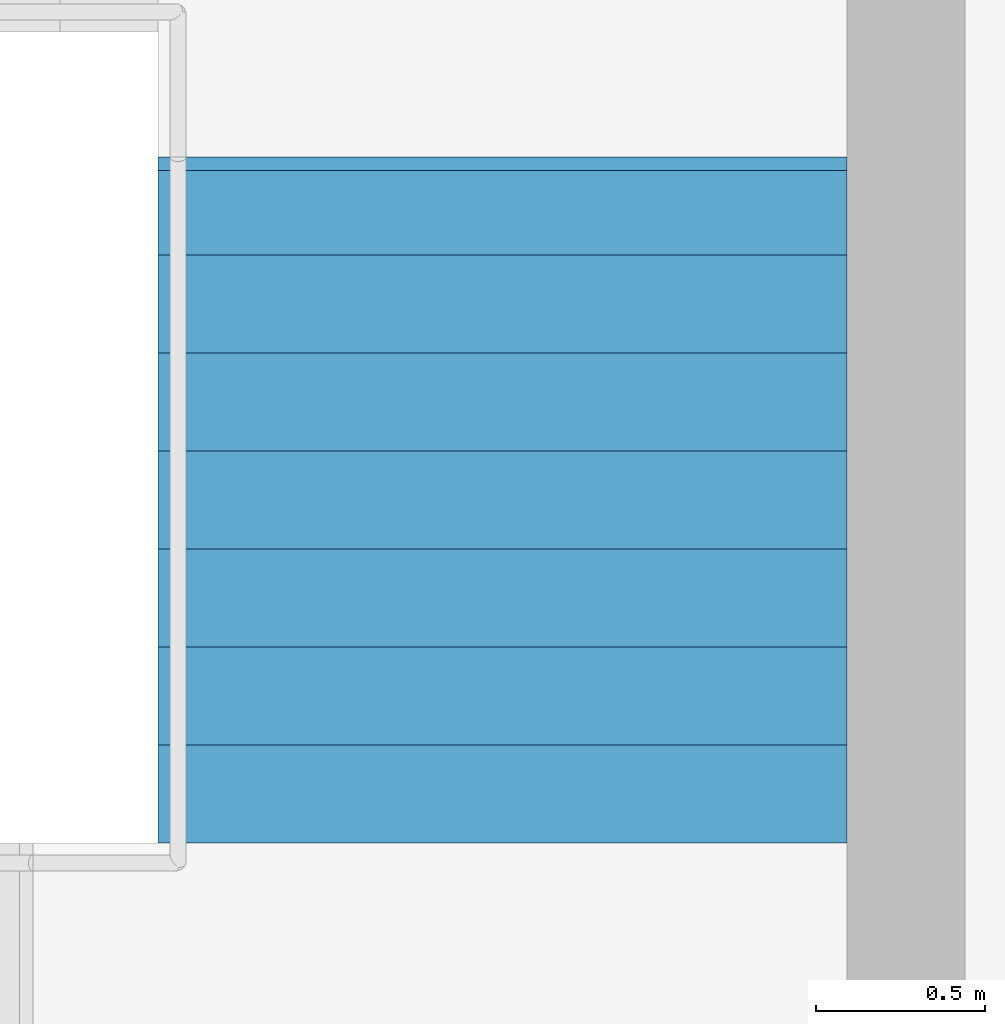
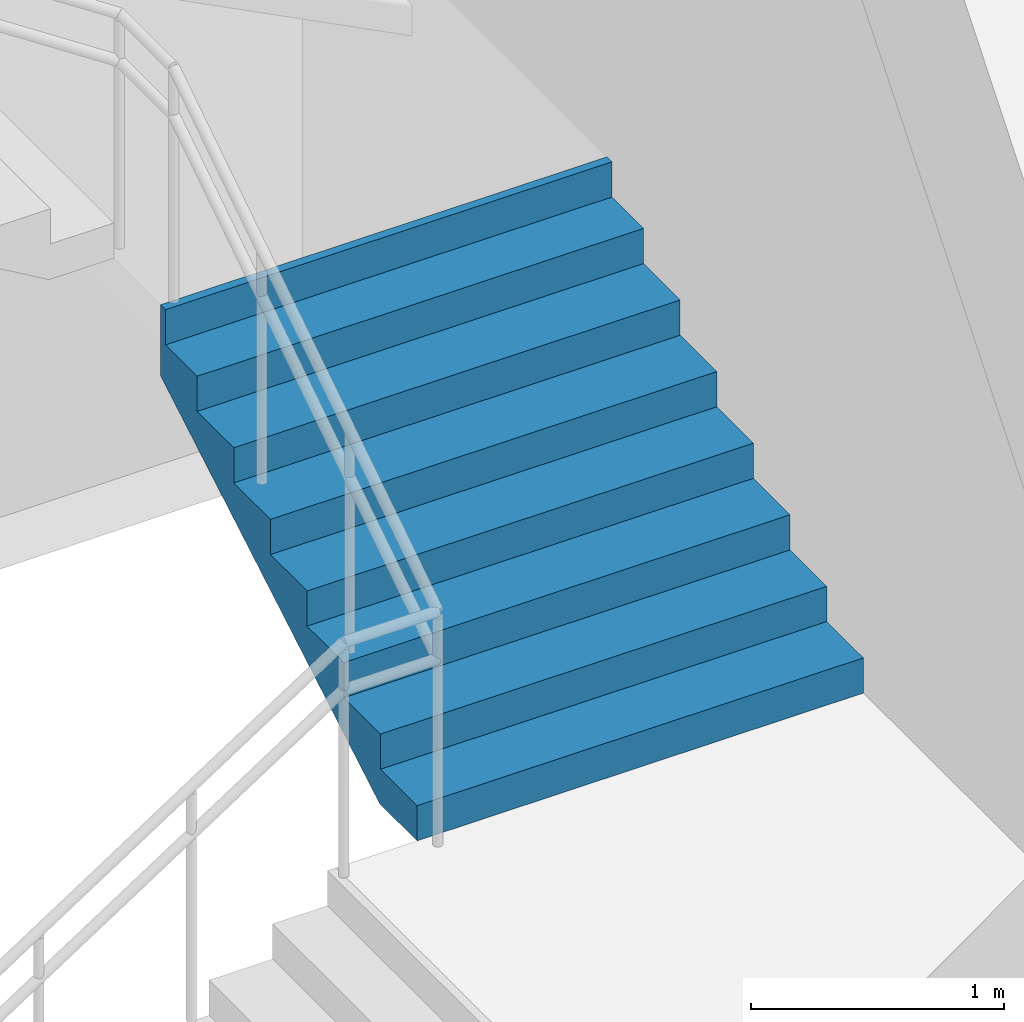
# One storey, part 64 of 66: 1 stair flight, 1 element without a shape of its own.
"""IFC4 building model written with IfcOpenShell, lengths in metres."""

from ifc_helpers import new_model, si_unit, direction, frame, origin, place, context, subcontext, project, spatial, triangles, material, type_object, element, aggregate, save


model = new_model("IFC4")

# Units and contexts
model_context = context("Model", 3, precision=1e-05, world=origin(), true_north=direction((0.0, 1.0)))
body_context = subcontext(model_context, "Body", "Model", "MODEL_VIEW")
ifc_project = project(units=[si_unit("LENGTHUNIT", "METRE"), si_unit("AREAUNIT", "SQUARE_METRE"), si_unit("VOLUMEUNIT", "CUBIC_METRE"), si_unit("PLANEANGLEUNIT", "RADIAN"), si_unit("MASSUNIT", "GRAM", prefix="KILO")], contexts=[model_context])

# Site, building, storey
site_placement = place(None, origin())
site = spatial("IfcSite", under=ifc_project, at=site_placement, CompositionType="ELEMENT")
building_placement = place(site_placement, origin())
building = spatial("IfcBuilding", under=site, at=building_placement, Name="Sillaruma Civic Art Gallery", CompositionType="ELEMENT")
storey_placement = place(building_placement, frame((0.0, 0.0, 57.1201171875)))
storey = spatial("IfcBuildingStorey", under=building, at=storey_placement, Name="L11", CompositionType="ELEMENT", Elevation=57.1201171875)

# Stair, stair flight
ifc_material = material(Name="Concrete H35 (35 MPa)", Category="concrete")
stair_type = type_object("IfcStairType", Name="STR-4F-30", PredefinedType="USERDEFINED", material=ifc_material)
stair_placement = place(storey_placement, origin())
stair = element("IfcStair", 1, at=stair_placement, inside=storey, type_object=stair_type, Name="Protected Exit Stair ST-02 (West Bar North) (L11)", ObjectType="THREE_RETURN_STAIR", PredefinedType="USERDEFINED")
stair_flight_type = type_object("IfcStairFlightType", Name="SFL-STR-8", PredefinedType="STRAIGHT", material=ifc_material)
stair_flight_placement = place(storey_placement, frame((68.219970703125, 82.949951171875, 1.35986328125), z_axis=(0.0, 0.0, 1.0), x_axis=(0.0, 1.0, 0.0)))
stair_flight = element("IfcStairFlight", 2, at=stair_flight_placement, type_object=stair_flight_type, Name="ST-02 flight 2", NumberOfRisers=8, NumberOfTreads=7, PredefinedType="STRAIGHT", RiserHeight=0.17, TreadLength=0.29, context=body_context, shape_type="Tessellation", body=[
    triangles([(0.0, -1.02001953125, 0.0), (0.29, -1.02001953125, 0.0), (0.296443, -1.02001953125, 0.0), (0.58, -1.02001953125, 0.166223), (0.87, -1.02001953125, 0.336223), (1.16, -1.02001953125, 0.506223), (1.45, -1.02001953125, 0.676223), (1.74, -1.02001953125, 0.846223), (1.990029, -1.02001953125, 0.992792), (2.030029, -1.02001953125, 1.01624), (2.030029, -1.02001953125, 1.36), (1.990029, -1.02001953125, 1.36), (1.990029, -1.02001953125, 1.19), (1.74, -1.02001953125, 1.19), (1.74, -1.02001953125, 1.02), (1.45, -1.02001953125, 1.02), (1.45, -1.02001953125, 0.85), (1.16, -1.02001953125, 0.85), (1.16, -1.02001953125, 0.68), (0.87, -1.02001953125, 0.68), (0.87, -1.02001953125, 0.51), (0.58, -1.02001953125, 0.51), (0.58, -1.02001953125, 0.34), (0.296443, -1.02001953125, 0.34), (0.29, -1.02001953125, 0.34), (0.29, -1.02001953125, 0.17), (0.0, -1.02001953125, 0.17), (0.0, -0.05, 0.0), (0.29, -0.05, 0.0), (0.296443, -0.05, 0.0), (0.58, -0.05, 0.166223), (0.87, -0.05, 0.336223), (1.16, -0.05, 0.506223), (1.45, -0.05, 0.676223), (1.74, -0.05, 0.846223), (1.990029, -0.05, 0.992792), (2.030029, -0.05, 1.01624), (2.030029, -0.05, 1.36), (1.990029, -0.05, 1.36), (1.990029, -0.05, 1.19), (1.74, -0.05, 1.19), (1.74, -0.05, 1.02), (1.45, -0.05, 1.02), (1.45, -0.05, 0.85), (1.16, -0.05, 0.85), (1.16, -0.05, 0.68), (0.87, -0.05, 0.68), (0.87, -0.05, 0.51), (0.58, -0.05, 0.51), (0.58, -0.05, 0.34), (0.296443, -0.05, 0.34), (0.29, -0.05, 0.34), (0.29, -0.05, 0.17), (0.0, -0.05, 0.17), (0.0, -0.0375, 0.0), (0.29, -0.0375, 0.0), (0.296443, -0.0375, 0.0), (0.58, -0.0375, 0.166223), (0.87, -0.0375, 0.336223), (1.16, -0.0375, 0.506223), (1.45, -0.0375, 0.676223), (1.74, -0.0375, 0.846223), (1.990029, -0.0375, 0.992792), (2.030029, -0.0375, 1.01624), (2.030029, -0.0375, 1.36), (1.990029, -0.0375, 1.36), (1.990029, -0.0375, 1.19), (1.74, -0.0375, 1.19), (1.74, -0.0375, 1.02), (1.45, -0.0375, 1.02), (1.45, -0.0375, 0.85), (1.16, -0.0375, 0.85), (1.16, -0.0375, 0.68), (0.87, -0.0375, 0.68), (0.87, -0.0375, 0.51), (0.58, -0.0375, 0.51), (0.58, -0.0375, 0.34), (0.296443, -0.0375, 0.34), (0.29, -0.0375, 0.34), (0.29, -0.0375, 0.17), (0.0, -0.0375, 0.17), (0.0, -0.025, 0.0), (0.29, -0.025, 0.0), (0.296443, -0.025, 0.0), (0.58, -0.025, 0.166223), (0.87, -0.025, 0.336223), (1.16, -0.025, 0.506223), (1.45, -0.025, 0.676223), (1.74, -0.025, 0.846223), (1.990029, -0.025, 0.992792), (2.030029, -0.025, 1.01624), (2.030029, -0.025, 1.36), (1.990029, -0.025, 1.36), (1.990029, -0.025, 1.19), (1.74, -0.025, 1.19), (1.74, -0.025, 1.02), (1.45, -0.025, 1.02), (1.45, -0.025, 0.85), (1.16, -0.025, 0.85), (1.16, -0.025, 0.68), (0.87, -0.025, 0.68), (0.87, -0.025, 0.51), (0.58, -0.025, 0.51), (0.58, -0.025, 0.34), (0.296443, -0.025, 0.34), (0.29, -0.025, 0.34), (0.29, -0.025, 0.17), (0.0, -0.025, 0.17), (0.0, -0.0125, 0.0), (0.29, -0.0125, 0.0), (0.296443, -0.0125, 0.0), (0.58, -0.0125, 0.166223), (0.87, -0.0125, 0.336223), (1.16, -0.0125, 0.506223), (1.45, -0.0125, 0.676223), (1.74, -0.0125, 0.846223), (1.990029, -0.0125, 0.992792), (2.030029, -0.0125, 1.01624), (2.030029, -0.0125, 1.36), (1.990029, -0.0125, 1.36), (1.990029, -0.0125, 1.19), (1.74, -0.0125, 1.19), (1.74, -0.0125, 1.02), (1.45, -0.0125, 1.02), (1.45, -0.0125, 0.85), (1.16, -0.0125, 0.85), (1.16, -0.0125, 0.68), (0.87, -0.0125, 0.68), (0.87, -0.0125, 0.51), (0.58, -0.0125, 0.51), (0.58, -0.0125, 0.34), (0.296443, -0.0125, 0.34), (0.29, -0.0125, 0.34), (0.29, -0.0125, 0.17), (0.0, -0.0125, 0.17), (0.0, 0.0, 0.0), (0.29, 0.0, 0.0), (0.296443, 0.0, 0.0), (0.58, 0.0, 0.166223), (0.87, 0.0, 0.336223), (1.16, 0.0, 0.506223), (1.45, 0.0, 0.676223), (1.74, 0.0, 0.846223), (1.990029, 0.0, 0.992792), (2.030029, 0.0, 1.01624), (2.030029, 0.0, 1.36), (1.990029, 0.0, 1.36), (1.990029, 0.0, 1.19), (1.74, 0.0, 1.19), (1.74, 0.0, 1.02), (1.45, 0.0, 1.02), (1.45, 0.0, 0.85), (1.16, 0.0, 0.85), (1.16, 0.0, 0.68), (0.87, 0.0, 0.68), (0.87, 0.0, 0.51), (0.58, 0.0, 0.51), (0.58, 0.0, 0.34), (0.296443, 0.0, 0.34), (0.29, 0.0, 0.34), (0.29, 0.0, 0.17), (0.0, 0.0, 0.17), (0.0, 0.0125, 0.0), (0.29, 0.0125, 0.0), (0.296443, 0.0125, 0.0), (0.58, 0.0125, 0.166223), (0.87, 0.0125, 0.336223), (1.16, 0.0125, 0.506223), (1.45, 0.0125, 0.676223), (1.74, 0.0125, 0.846223), (1.990029, 0.0125, 0.992792), (2.030029, 0.0125, 1.01624), (2.030029, 0.0125, 1.36), (1.990029, 0.0125, 1.36), (1.990029, 0.0125, 1.19), (1.74, 0.0125, 1.19), (1.74, 0.0125, 1.02), (1.45, 0.0125, 1.02), (1.45, 0.0125, 0.85), (1.16, 0.0125, 0.85), (1.16, 0.0125, 0.68), (0.87, 0.0125, 0.68), (0.87, 0.0125, 0.51), (0.58, 0.0125, 0.51), (0.58, 0.0125, 0.34), (0.296443, 0.0125, 0.34), (0.29, 0.0125, 0.34), (0.29, 0.0125, 0.17), (0.0, 0.0125, 0.17), (0.0, 0.025, 0.0), (0.29, 0.025, 0.0), (0.296443, 0.025, 0.0), (0.58, 0.025, 0.166223), (0.87, 0.025, 0.336223), (1.16, 0.025, 0.506223), (1.45, 0.025, 0.676223), (1.74, 0.025, 0.846223), (1.990029, 0.025, 0.992792), (2.030029, 0.025, 1.01624), (2.030029, 0.025, 1.36), (1.990029, 0.025, 1.36), (1.990029, 0.025, 1.19), (1.74, 0.025, 1.19), (1.74, 0.025, 1.02), (1.45, 0.025, 1.02), (1.45, 0.025, 0.85), (1.16, 0.025, 0.85), (1.16, 0.025, 0.68), (0.87, 0.025, 0.68), (0.87, 0.025, 0.51), (0.58, 0.025, 0.51), (0.58, 0.025, 0.34), (0.296443, 0.025, 0.34), (0.29, 0.025, 0.34), (0.29, 0.025, 0.17), (0.0, 0.025, 0.17), (0.0, 0.0375, 0.0), (0.29, 0.0375, 0.0), (0.296443, 0.0375, 0.0), (0.58, 0.0375, 0.166223), (0.87, 0.0375, 0.336223), (1.16, 0.0375, 0.506223), (1.45, 0.0375, 0.676223), (1.74, 0.0375, 0.846223), (1.990029, 0.0375, 0.992792), (2.030029, 0.0375, 1.01624), (2.030029, 0.0375, 1.36), (1.990029, 0.0375, 1.36), (1.990029, 0.0375, 1.19), (1.74, 0.0375, 1.19), (1.74, 0.0375, 1.02), (1.45, 0.0375, 1.02), (1.45, 0.0375, 0.85), (1.16, 0.0375, 0.85), (1.16, 0.0375, 0.68), (0.87, 0.0375, 0.68), (0.87, 0.0375, 0.51), (0.58, 0.0375, 0.51), (0.58, 0.0375, 0.34), (0.296443, 0.0375, 0.34), (0.29, 0.0375, 0.34), (0.29, 0.0375, 0.17), (0.0, 0.0375, 0.17), (0.0, 0.05, 0.0), (0.29, 0.05, 0.0), (0.296443, 0.05, 0.0), (0.58, 0.05, 0.166223), (0.87, 0.05, 0.336223), (1.16, 0.05, 0.506223), (1.45, 0.05, 0.676223), (1.74, 0.05, 0.846223), (1.990029, 0.05, 0.992792), (2.030029, 0.05, 1.01624), (2.030029, 0.05, 1.36), (1.990029, 0.05, 1.36), (1.990029, 0.05, 1.19), (1.74, 0.05, 1.19), (1.74, 0.05, 1.02), (1.45, 0.05, 1.02), (1.45, 0.05, 0.85), (1.16, 0.05, 0.85), (1.16, 0.05, 0.68), (0.87, 0.05, 0.68), (0.87, 0.05, 0.51), (0.58, 0.05, 0.51), (0.58, 0.05, 0.34), (0.296443, 0.05, 0.34), (0.29, 0.05, 0.34), (0.29, 0.05, 0.17), (0.0, 0.05, 0.17), (0.0, 1.02001953125, 0.0), (0.29, 1.02001953125, 0.0), (0.296443, 1.02001953125, 0.0), (0.58, 1.02001953125, 0.166223), (0.87, 1.02001953125, 0.336223), (1.16, 1.02001953125, 0.506223), (1.45, 1.02001953125, 0.676223), (1.74, 1.02001953125, 0.846223), (1.990029, 1.02001953125, 0.992792), (2.030029, 1.02001953125, 1.01624), (2.030029, 1.02001953125, 1.36), (1.990029, 1.02001953125, 1.36), (1.990029, 1.02001953125, 1.19), (1.74, 1.02001953125, 1.19), (1.74, 1.02001953125, 1.02), (1.45, 1.02001953125, 1.02), (1.45, 1.02001953125, 0.85), (1.16, 1.02001953125, 0.85), (1.16, 1.02001953125, 0.68), (0.87, 1.02001953125, 0.68), (0.87, 1.02001953125, 0.51), (0.58, 1.02001953125, 0.51), (0.58, 1.02001953125, 0.34), (0.296443, 1.02001953125, 0.34), (0.29, 1.02001953125, 0.34), (0.29, 1.02001953125, 0.17), (0.0, 1.02001953125, 0.17)], [[1, 2, 26], [1, 26, 27], [2, 3, 24], [2, 24, 26], [26, 24, 25], [3, 4, 23], [3, 23, 24], [4, 5, 21], [4, 21, 23], [23, 21, 22], [5, 6, 19], [5, 19, 21], [21, 19, 20], [6, 7, 17], [6, 17, 19], [19, 17, 18], [7, 8, 15], [7, 15, 17], [17, 15, 16], [8, 9, 13], [8, 13, 15], [15, 13, 14], [9, 10, 11], [9, 11, 13], [13, 11, 12], [296, 272, 271], [297, 296, 271], [294, 273, 272], [296, 294, 272], [295, 294, 296], [293, 274, 273], [294, 293, 273], [291, 275, 274], [293, 291, 274], [292, 291, 293], [289, 276, 275], [291, 289, 275], [290, 289, 291], [287, 277, 276], [289, 287, 276], [288, 287, 289], [285, 278, 277], [287, 285, 277], [286, 285, 287], [283, 279, 278], [285, 283, 278], [284, 283, 285], [281, 280, 279], [283, 281, 279], [282, 281, 283], [2, 1, 28], [2, 28, 29], [3, 2, 29], [3, 29, 30], [4, 3, 30], [4, 30, 31], [5, 4, 31], [5, 31, 32], [6, 5, 32], [6, 32, 33], [7, 6, 33], [7, 33, 34], [8, 7, 34], [8, 34, 35], [9, 8, 35], [9, 35, 36], [10, 9, 36], [10, 36, 37], [11, 10, 37], [11, 37, 38], [12, 11, 38], [12, 38, 39], [13, 12, 39], [13, 39, 40], [14, 13, 40], [14, 40, 41], [15, 14, 41], [15, 41, 42], [16, 15, 42], [16, 42, 43], [17, 16, 43], [17, 43, 44], [18, 17, 44], [18, 44, 45], [19, 18, 45], [19, 45, 46], [20, 19, 46], [20, 46, 47], [21, 20, 47], [21, 47, 48], [22, 21, 48], [22, 48, 49], [23, 22, 49], [23, 49, 50], [24, 23, 50], [24, 50, 51], [25, 24, 51], [25, 51, 52], [26, 25, 52], [26, 52, 53], [27, 26, 53], [27, 53, 54], [1, 27, 54], [1, 54, 28], [29, 28, 55], [29, 55, 56], [30, 29, 56], [30, 56, 57], [31, 30, 57], [31, 57, 58], [32, 31, 58], [32, 58, 59], [33, 32, 59], [33, 59, 60], [34, 33, 60], [34, 60, 61], [35, 34, 61], [35, 61, 62], [36, 35, 62], [36, 62, 63], [37, 36, 63], [37, 63, 64], [38, 37, 64], [38, 64, 65], [39, 38, 65], [39, 65, 66], [40, 39, 66], [40, 66, 67], [41, 40, 67], [41, 67, 68], [42, 41, 68], [42, 68, 69], [43, 42, 69], [43, 69, 70], [44, 43, 70], [44, 70, 71], [45, 44, 71], [45, 71, 72], [46, 45, 72], [46, 72, 73], [47, 46, 73], [47, 73, 74], [48, 47, 74], [48, 74, 75], [49, 48, 75], [49, 75, 76], [50, 49, 76], [50, 76, 77], [51, 50, 77], [51, 77, 78], [52, 51, 78], [52, 78, 79], [53, 52, 79], [53, 79, 80], [54, 53, 80], [54, 80, 81], [28, 54, 81], [28, 81, 55], [56, 55, 82], [56, 82, 83], [57, 56, 83], [57, 83, 84], [58, 57, 84], [58, 84, 85], [59, 58, 85], [59, 85, 86], [60, 59, 86], [60, 86, 87], [61, 60, 87], [61, 87, 88], [62, 61, 88], [62, 88, 89], [63, 62, 89], [63, 89, 90], [64, 63, 90], [64, 90, 91], [65, 64, 91], [65, 91, 92], [66, 65, 92], [66, 92, 93], [67, 66, 93], [67, 93, 94], [68, 67, 94], [68, 94, 95], [69, 68, 95], [69, 95, 96], [70, 69, 96], [70, 96, 97], [71, 70, 97], [71, 97, 98], [72, 71, 98], [72, 98, 99], [73, 72, 99], [73, 99, 100], [74, 73, 100], [74, 100, 101], [75, 74, 101], [75, 101, 102], [76, 75, 102], [76, 102, 103], [77, 76, 103], [77, 103, 104], [78, 77, 104], [78, 104, 105], [79, 78, 105], [79, 105, 106], [80, 79, 106], [80, 106, 107], [81, 80, 107], [81, 107, 108], [55, 81, 108], [55, 108, 82], [83, 82, 109], [83, 109, 110], [84, 83, 110], [84, 110, 111], [85, 84, 111], [85, 111, 112], [86, 85, 112], [86, 112, 113], [87, 86, 113], [87, 113, 114], [88, 87, 114], [88, 114, 115], [89, 88, 115], [89, 115, 116], [90, 89, 116], [90, 116, 117], [91, 90, 117], [91, 117, 118], [92, 91, 118], [92, 118, 119], [93, 92, 119], [93, 119, 120], [94, 93, 120], [94, 120, 121], [95, 94, 121], [95, 121, 122], [96, 95, 122], [96, 122, 123], [97, 96, 123], [97, 123, 124], [98, 97, 124], [98, 124, 125], [99, 98, 125], [99, 125, 126], [100, 99, 126], [100, 126, 127], [101, 100, 127], [101, 127, 128], [102, 101, 128], [102, 128, 129], [103, 102, 129], [103, 129, 130], [104, 103, 130], [104, 130, 131], [105, 104, 131], [105, 131, 132], [106, 105, 132], [106, 132, 133], [107, 106, 133], [107, 133, 134], [108, 107, 134], [108, 134, 135], [82, 108, 135], [82, 135, 109], [110, 109, 136], [110, 136, 137], [111, 110, 137], [111, 137, 138], [112, 111, 138], [112, 138, 139], [113, 112, 139], [113, 139, 140], [114, 113, 140], [114, 140, 141], [115, 114, 141], [115, 141, 142], [116, 115, 142], [116, 142, 143], [117, 116, 143], [117, 143, 144], [118, 117, 144], [118, 144, 145], [119, 118, 145], [119, 145, 146], [120, 119, 146], [120, 146, 147], [121, 120, 147], [121, 147, 148], [122, 121, 148], [122, 148, 149], [123, 122, 149], [123, 149, 150], [124, 123, 150], [124, 150, 151], [125, 124, 151], [125, 151, 152], [126, 125, 152], [126, 152, 153], [127, 126, 153], [127, 153, 154], [128, 127, 154], [128, 154, 155], [129, 128, 155], [129, 155, 156], [130, 129, 156], [130, 156, 157], [131, 130, 157], [131, 157, 158], [132, 131, 158], [132, 158, 159], [133, 132, 159], [133, 159, 160], [134, 133, 160], [134, 160, 161], [135, 134, 161], [135, 161, 162], [109, 135, 162], [109, 162, 136], [137, 136, 163], [137, 163, 164], [138, 137, 164], [138, 164, 165], [139, 138, 165], [139, 165, 166], [140, 139, 166], [140, 166, 167], [141, 140, 167], [141, 167, 168], [142, 141, 168], [142, 168, 169], [143, 142, 169], [143, 169, 170], [144, 143, 170], [144, 170, 171], [145, 144, 171], [145, 171, 172], [146, 145, 172], [146, 172, 173], [147, 146, 173], [147, 173, 174], [148, 147, 174], [148, 174, 175], [149, 148, 175], [149, 175, 176], [150, 149, 176], [150, 176, 177], [151, 150, 177], [151, 177, 178], [152, 151, 178], [152, 178, 179], [153, 152, 179], [153, 179, 180], [154, 153, 180], [154, 180, 181], [155, 154, 181], [155, 181, 182], [156, 155, 182], [156, 182, 183], [157, 156, 183], [157, 183, 184], [158, 157, 184], [158, 184, 185], [159, 158, 185], [159, 185, 186], [160, 159, 186], [160, 186, 187], [161, 160, 187], [161, 187, 188], [162, 161, 188], [162, 188, 189], [136, 162, 189], [136, 189, 163], [164, 163, 190], [164, 190, 191], [165, 164, 191], [165, 191, 192], [166, 165, 192], [166, 192, 193], [167, 166, 193], [167, 193, 194], [168, 167, 194], [168, 194, 195], [169, 168, 195], [169, 195, 196], [170, 169, 196], [170, 196, 197], [171, 170, 197], [171, 197, 198], [172, 171, 198], [172, 198, 199], [173, 172, 199], [173, 199, 200], [174, 173, 200], [174, 200, 201], [175, 174, 201], [175, 201, 202], [176, 175, 202], [176, 202, 203], [177, 176, 203], [177, 203, 204], [178, 177, 204], [178, 204, 205], [179, 178, 205], [179, 205, 206], [180, 179, 206], [180, 206, 207], [181, 180, 207], [181, 207, 208], [182, 181, 208], [182, 208, 209], [183, 182, 209], [183, 209, 210], [184, 183, 210], [184, 210, 211], [185, 184, 211], [185, 211, 212], [186, 185, 212], [186, 212, 213], [187, 186, 213], [187, 213, 214], [188, 187, 214], [188, 214, 215], [189, 188, 215], [189, 215, 216], [163, 189, 216], [163, 216, 190], [191, 190, 217], [191, 217, 218], [192, 191, 218], [192, 218, 219], [193, 192, 219], [193, 219, 220], [194, 193, 220], [194, 220, 221], [195, 194, 221], [195, 221, 222], [196, 195, 222], [196, 222, 223], [197, 196, 223], [197, 223, 224], [198, 197, 224], [198, 224, 225], [199, 198, 225], [199, 225, 226], [200, 199, 226], [200, 226, 227], [201, 200, 227], [201, 227, 228], [202, 201, 228], [202, 228, 229], [203, 202, 229], [203, 229, 230], [204, 203, 230], [204, 230, 231], [205, 204, 231], [205, 231, 232], [206, 205, 232], [206, 232, 233], [207, 206, 233], [207, 233, 234], [208, 207, 234], [208, 234, 235], [209, 208, 235], [209, 235, 236], [210, 209, 236], [210, 236, 237], [211, 210, 237], [211, 237, 238], [212, 211, 238], [212, 238, 239], [213, 212, 239], [213, 239, 240], [214, 213, 240], [214, 240, 241], [215, 214, 241], [215, 241, 242], [216, 215, 242], [216, 242, 243], [190, 216, 243], [190, 243, 217], [218, 217, 244], [218, 244, 245], [219, 218, 245], [219, 245, 246], [220, 219, 246], [220, 246, 247], [221, 220, 247], [221, 247, 248], [222, 221, 248], [222, 248, 249], [223, 222, 249], [223, 249, 250], [224, 223, 250], [224, 250, 251], [225, 224, 251], [225, 251, 252], [226, 225, 252], [226, 252, 253], [227, 226, 253], [227, 253, 254], [228, 227, 254], [228, 254, 255], [229, 228, 255], [229, 255, 256], [230, 229, 256], [230, 256, 257], [231, 230, 257], [231, 257, 258], [232, 231, 258], [232, 258, 259], [233, 232, 259], [233, 259, 260], [234, 233, 260], [234, 260, 261], [235, 234, 261], [235, 261, 262], [236, 235, 262], [236, 262, 263], [237, 236, 263], [237, 263, 264], [238, 237, 264], [238, 264, 265], [239, 238, 265], [239, 265, 266], [240, 239, 266], [240, 266, 267], [241, 240, 267], [241, 267, 268], [242, 241, 268], [242, 268, 269], [243, 242, 269], [243, 269, 270], [217, 243, 270], [217, 270, 244], [245, 244, 271], [245, 271, 272], [246, 245, 272], [246, 272, 273], [247, 246, 273], [247, 273, 274], [248, 247, 274], [248, 274, 275], [249, 248, 275], [249, 275, 276], [250, 249, 276], [250, 276, 277], [251, 250, 277], [251, 277, 278], [252, 251, 278], [252, 278, 279], [253, 252, 279], [253, 279, 280], [254, 253, 280], [254, 280, 281], [255, 254, 281], [255, 281, 282], [256, 255, 282], [256, 282, 283], [257, 256, 283], [257, 283, 284], [258, 257, 284], [258, 284, 285], [259, 258, 285], [259, 285, 286], [260, 259, 286], [260, 286, 287], [261, 260, 287], [261, 287, 288], [262, 261, 288], [262, 288, 289], [263, 262, 289], [263, 289, 290], [264, 263, 290], [264, 290, 291], [265, 264, 291], [265, 291, 292], [266, 265, 292], [266, 292, 293], [267, 266, 293], [267, 293, 294], [268, 267, 294], [268, 294, 295], [269, 268, 295], [269, 295, 296], [270, 269, 296], [270, 296, 297], [244, 270, 297], [244, 297, 271]], closed=True),
])
aggregate(stair, [stair_flight])

save(model, "model.ifc")
